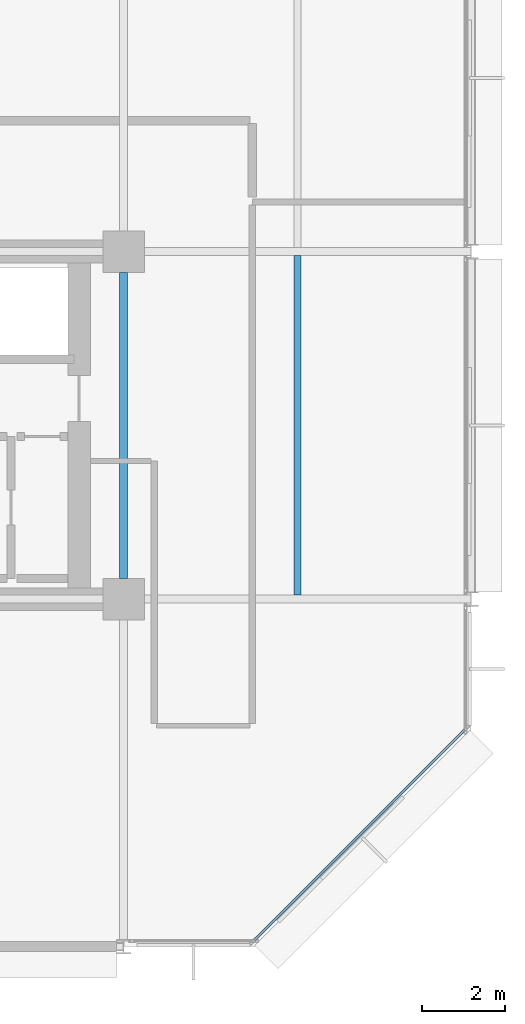
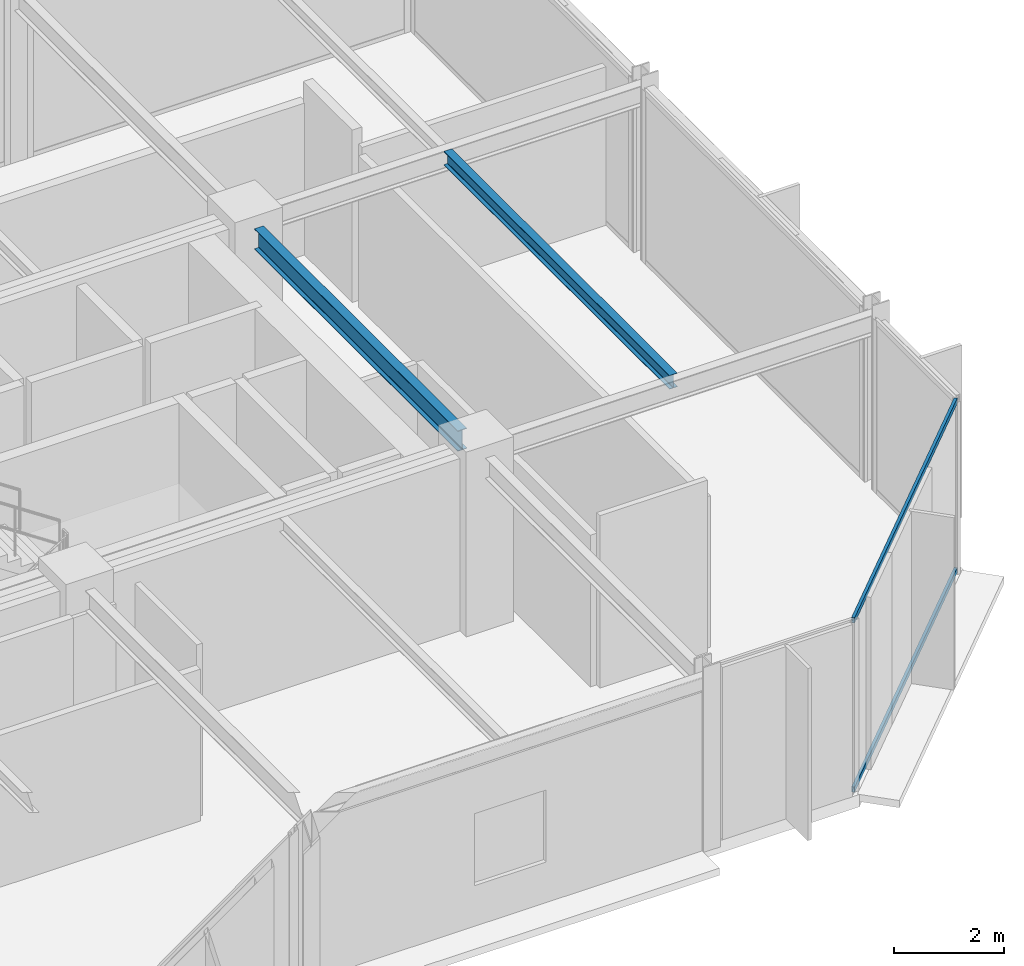
# One storey, part 12 of 30: 2 beams, 2 members, 1 element without a shape of its own.
"""IFC4 building model written with IfcOpenShell, lengths in metres."""

from ifc_helpers import new_model, si_unit, direction, frame, origin, origin_2d, place, context, subcontext, project, spatial, hollow_rectangle, i_section, extrude, material, layer, layer_set, material_profile, profile_set, type_object, element, aggregate, save


model = new_model("IFC4")

# Units and contexts
model_context = context("Model", 3, precision=1e-05, world=origin(), true_north=direction((0.0, 1.0)))
body_context = subcontext(model_context, "Body", "Model", "MODEL_VIEW")
ifc_project = project(units=[si_unit("LENGTHUNIT", "METRE"), si_unit("AREAUNIT", "SQUARE_METRE"), si_unit("VOLUMEUNIT", "CUBIC_METRE"), si_unit("PLANEANGLEUNIT", "RADIAN"), si_unit("MASSUNIT", "GRAM", prefix="KILO")], contexts=[model_context])

# Site, building, storey
site_placement = place(None, origin())
site = spatial("IfcSite", under=ifc_project, at=site_placement, CompositionType="ELEMENT")
building_placement = place(site_placement, origin())
building = spatial("IfcBuilding", under=site, at=building_placement, Name="Nerrivon Quay Data Exchange", CompositionType="ELEMENT")
storey_placement = place(building_placement, frame((0.0, 0.0, 171.39990234375)))
storey = spatial("IfcBuildingStorey", under=building, at=storey_placement, Name="L40", CompositionType="ELEMENT", Elevation=171.39990234375)

# Beams
ifc_material_1 = material(Name="Steel Grade 350", Category="steel")
ifc_material_profile_1 = material_profile(ifc_material_1, i_section(OverallWidth=0.18994140625, OverallDepth=0.4541015625, WebThickness=0.008544921875, FlangeThickness=0.0126953125, FilletRadius=0.011474609375, at=origin_2d()), Name="460UB67.1")
ifc_profile_set_1 = profile_set([ifc_material_profile_1], Name="Steel Grade 350")
beam_type_1 = type_object("IfcBeamType", Name="BM-G6-460UB67", PredefinedType="BEAM", material=ifc_profile_set_1)
beam_1_placement = place(storey_placement, frame((33.60009765625, 8.89990234375, 3.59814453125), z_axis=(0.0, 1.0, 0.0), x_axis=(-1.0, 0.0, 0.0)))
element("IfcBeam", 1, at=beam_1_placement, inside=storey, type_object=beam_type_1, Name="L40 NS Girder X=33.6 (8.4..16.8)", PredefinedType="BEAM", context=body_context, shape_type="SweptSolid", body=[
    extrude(i_section(OverallWidth=0.18994140625, OverallDepth=0.4541015625, WebThickness=0.008544921875, FlangeThickness=0.0126953125, FilletRadius=0.011474609375, at=origin_2d()), origin(), (0.0, 0.0, 1.0), 7.400146484375),
])
ifc_material_profile_2 = material_profile(ifc_material_1, i_section(OverallWidth=0.166015625, OverallDepth=0.306884765625, WebThickness=0.006591796875, FlangeThickness=0.01171875, FilletRadius=0.011474609375, at=origin_2d()), Name="310UB46.2")
ifc_profile_set_2 = profile_set([ifc_material_profile_2], Name="Steel Grade 350")
beam_type_2 = type_object("IfcBeamType", Name="BM-J5-310UB46", PredefinedType="JOIST", material=ifc_profile_set_2)
beam_2_placement = place(storey_placement, frame((37.800048828125, 8.49560546875, 3.671630859375), z_axis=(0.0, 1.0, 0.0), x_axis=(-1.0, 0.0, 0.0)))
element("IfcBeam", 2, at=beam_2_placement, inside=storey, type_object=beam_type_2, Name="L40 Secondary Joist X=37.8 (8.4..16.8)", PredefinedType="JOIST", context=body_context, shape_type="SweptSolid", body=[
    extrude(i_section(OverallWidth=0.166015625, OverallDepth=0.306884765625, WebThickness=0.006591796875, FlangeThickness=0.01171875, FilletRadius=0.011474609375, at=origin_2d()), origin(), (0.0, 0.0, 1.0), 8.208984375),
])

# Curtain wall, members
ifc_material_2 = material(Name="Anodised aluminium 6063-T6", Category="aluminium")
ifc_layer = layer(ifc_material_2, 0.195068359375)
ifc_layer_set = layer_set([ifc_layer], Name="Anodised aluminium 6063-T6")
curtain_wall_type = type_object("IfcCurtainWallType", Name="CW-SYS-06", PredefinedType="NOTDEFINED", material=ifc_layer_set)
curtain_wall_placement = place(storey_placement, origin())
curtain_wall = element("IfcCurtainWall", 3, at=curtain_wall_placement, inside=storey, type_object=curtain_wall_type, Name="L40 Unitised Curtain Wall 21", PredefinedType="NOTDEFINED")
ifc_material_profile_3 = material_profile(ifc_material_2, hollow_rectangle(XDim=0.06005859375, YDim=0.1201171875, WallThickness=0.003173828125, at=origin_2d()), Name="ALU-TRAN-120x60")
ifc_profile_set_3 = profile_set([ifc_material_profile_3], Name="Anodised aluminium 6063-T6")
member_type = type_object("IfcMemberType", Name="CWT-120x60", PredefinedType="USERDEFINED", material=ifc_profile_set_3)
member_1_placement = place(storey_placement, frame((41.847900390625, 5.245849609375, 0.03271484375), z_axis=(-0.707106781187, -0.707106781187, 0.0), x_axis=(0.707106781187, -0.707106781187, 0.0)))
member_1 = element("IfcMember", 4, at=member_1_placement, type_object=member_type, Name="CW06 transom 1.1", ObjectType="TRANSOM", PredefinedType="USERDEFINED", context=body_context, shape_type="SweptSolid", body=[
    extrude(hollow_rectangle(XDim=0.06005859375, YDim=0.1201171875, WallThickness=0.003173828125, at=origin_2d()), origin(), (0.0, 0.0, 1.0), 7.20361328125),
])
member_2_placement = place(storey_placement, frame((41.847900390625, 5.245849609375, 3.79248046875), z_axis=(-0.707106781187, -0.707106781187, 0.0), x_axis=(0.707106781187, -0.707106781187, 0.0)))
member_2 = element("IfcMember", 5, at=member_2_placement, type_object=member_type, Name="CW06 transom 1.2", ObjectType="TRANSOM", PredefinedType="USERDEFINED", context=body_context, shape_type="SweptSolid", body=[
    extrude(hollow_rectangle(XDim=0.06005859375, YDim=0.1201171875, WallThickness=0.003173828125, at=origin_2d()), origin(), (0.0, 0.0, 1.0), 7.20361328125),
])
aggregate(curtain_wall, [member_1, member_2])

save(model, "model.ifc")
